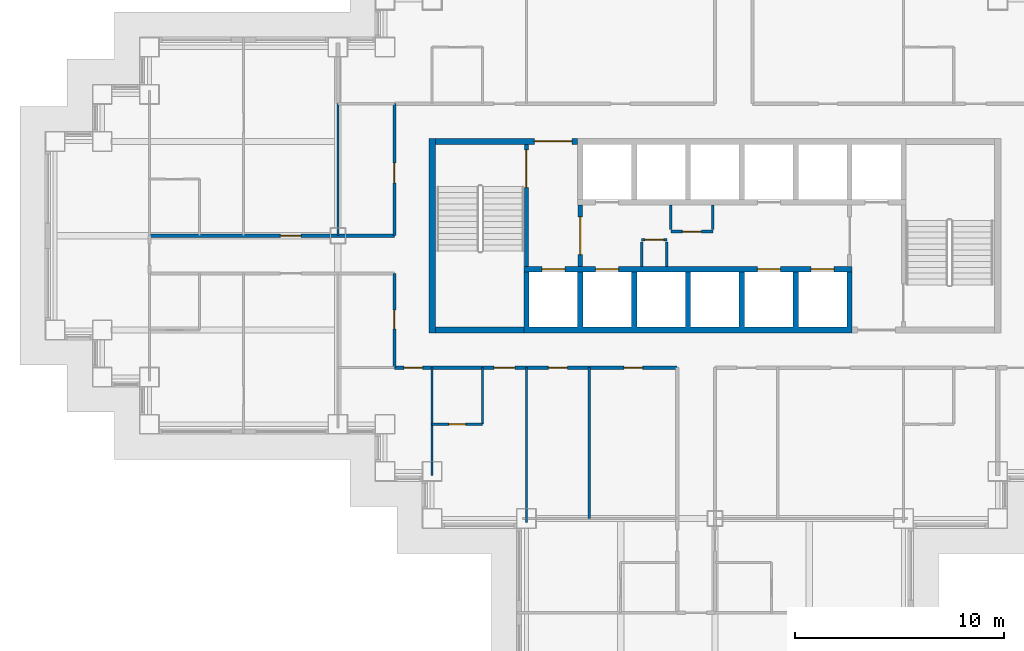
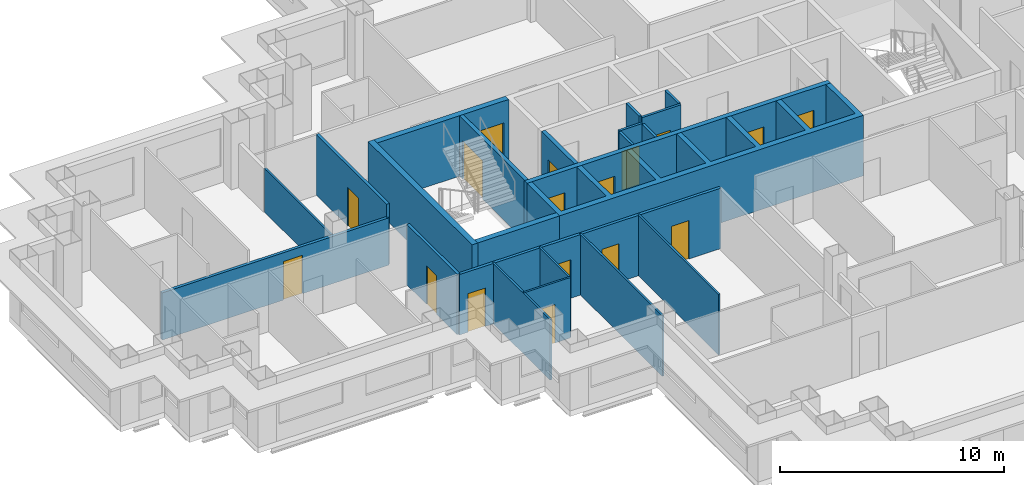
# One storey, part 4 of 14: 23 walls, 17 doors, 17 openings.
"""IFC4 building model written with IfcOpenShell, lengths in metres."""

from ifc_helpers import new_model, si_unit, direction, frame, frame_2d, origin, place, context, subcontext, project, spatial, polyline, rectangle, outline, extrude, material, layer, layer_set, type_object, element, fill, save


model = new_model("IFC4")

# Units and contexts
model_context = context("Model", 3, precision=1e-05, world=origin(), true_north=direction((0.0, 1.0)))
body_context = subcontext(model_context, "Body", "Model", "MODEL_VIEW")
ifc_project = project(units=[si_unit("LENGTHUNIT", "METRE"), si_unit("AREAUNIT", "SQUARE_METRE"), si_unit("VOLUMEUNIT", "CUBIC_METRE"), si_unit("PLANEANGLEUNIT", "RADIAN"), si_unit("MASSUNIT", "GRAM", prefix="KILO")], contexts=[model_context])

# Site, building, storey
site_placement = place(None, origin())
site = spatial("IfcSite", under=ifc_project, at=site_placement, CompositionType="ELEMENT")
building_placement = place(site_placement, origin())
building = spatial("IfcBuilding", under=site, at=building_placement, Name="Caravel Reach Hotel and Residences", CompositionType="ELEMENT")
storey_placement = place(building_placement, frame((0.0, 0.0, 88.800048828125)))
storey = spatial("IfcBuildingStorey", under=building, at=storey_placement, Name="L21", CompositionType="ELEMENT", Elevation=88.800048828125)

# Wall, opening, door
ifc_material_1 = material(Name="Gypsum board on steel stud", Category="steel")
ifc_layer_1 = layer(ifc_material_1, 0.10009765625)
ifc_layer_set_1 = layer_set([ifc_layer_1], Name="Bathroom pod wall 100 mm")
wall_type_1 = type_object("IfcWallType", Name="Bathroom pod wall 100 mm", PredefinedType="PARTITIONING", material=ifc_layer_set_1)
wall_1_placement = place(storey_placement, frame((18.0, 18.0, 0.0), z_axis=(0.0, 0.0, 1.0), x_axis=(1.0, 0.0, 0.0)))
wall_1 = element("IfcWall", 1, at=wall_1_placement, inside=storey, type_object=wall_type_1, Name="L21 wall w073", PredefinedType="PARTITIONING", context=body_context, shape_type="SweptSolid", body=[
    extrude(rectangle(XDim=2.39990234375, YDim=0.10009765625, at=frame_2d((1.199951171875, 0.0))), origin(), (0.0, 0.0, 1.0), 3.300048828125),
])
opening_1_placement = place(wall_1_placement, frame((0.800048828125, 0.0, 0.0)))
opening_1 = element("IfcOpeningElement", 2, at=opening_1_placement, cuts=wall_1, Name="Opening D21-043", PredefinedType="OPENING", context=body_context, shape_type="SweptSolid", body=[
    extrude(rectangle(XDim=0.800048828125, YDim=2.10009765625, at=frame_2d((0.39990234375, 1.050048828125))), frame((0.0, 0.06005859375, 0.0), z_axis=(0.0, -1.0, 0.0), x_axis=(1.0, 0.0, 0.0)), (0.0, 0.0, 1.0), 0.1201171875),
])
ifc_material_2 = material(Name="Timber and steel door leaf", Category="steel")
door_type_1 = type_object("IfcDoorType", Name="Bathroom door 800 x 2100", OperationType="SINGLE_SWING_LEFT", PredefinedType="DOOR", material=ifc_material_2)
door_1_placement = place(opening_1_placement, origin())
door_1 = element("IfcDoor", 3, at=door_1_placement, inside=storey, type_object=door_type_1, Name="door D21-043", OperationType="SINGLE_SWING_RIGHT", OverallHeight=2.10009765625, OverallWidth=0.800048828125, PredefinedType="DOOR", context=body_context, shape_type="SweptSolid", body=[
    extrude(rectangle(XDim=0.800048828125, YDim=2.10009765625, at=frame_2d((0.39990234375, 1.050048828125))), frame((0.0, 0.02490234375, 0.0), z_axis=(0.0, -1.0, 0.0), x_axis=(1.0, 0.0, 0.0)), (0.0, 0.0, 1.0), 0.050048828125),
])
fill(opening_1, door_1)

# Walls
wall_2_placement = place(storey_placement, frame((20.39990234375, 18.0, 0.0), z_axis=(0.0, 0.0, 1.0), x_axis=(0.0, 1.0, 0.0)))
element("IfcWall", 4, at=wall_2_placement, inside=storey, type_object=wall_type_1, Name="L21 wall w085", PredefinedType="PARTITIONING", context=body_context, shape_type="SweptSolid", body=[
    extrude(rectangle(XDim=2.699951171875, YDim=0.10009765625, at=frame_2d((1.35009765625, 0.0))), origin(), (0.0, 0.0, 1.0), 3.300048828125),
])
ifc_material_3 = material(Name="Concrete C60", Category="concrete")
ifc_layer_2 = layer(ifc_material_3, 0.300048828125)
ifc_layer_set_2 = layer_set([ifc_layer_2], Name="Core wall 300 mm EI 120")
wall_type_2 = type_object("IfcWallType", Name="Core wall 300 mm EI 120", PredefinedType="SHEAR", material=ifc_layer_set_2)
wall_3_placement = place(storey_placement, frame((18.14990234375, 22.5, 0.0), z_axis=(0.0, 0.0, 1.0), x_axis=(1.0, 0.0, 0.0)))
element("IfcWall", 5, at=wall_3_placement, inside=storey, type_object=wall_type_2, Name="L21 core wall S1", PredefinedType="SHEAR", context=body_context, shape_type="SweptSolid", body=[
    extrude(rectangle(XDim=4.22509765625, YDim=0.300048828125, at=frame_2d((2.112548828125, 0.0))), origin(), (0.0, 0.0, 1.0), 3.300048828125),
])

# Wall, opening, door
wall_4_placement = place(storey_placement, frame((18.14990234375, 31.5, 0.0), z_axis=(0.0, 0.0, 1.0), x_axis=(1.0, 0.0, 0.0)))
wall_4 = element("IfcWall", 6, at=wall_4_placement, inside=storey, type_object=wall_type_2, Name="L21 core wall N1", PredefinedType="SHEAR", context=body_context, shape_type="SweptSolid", body=[
    extrude(rectangle(XDim=6.796630859375, YDim=0.300048828125, at=frame_2d((3.3984375, 0.0))), origin(), (0.0, 0.0, 1.0), 3.300048828125),
])
opening_2_placement = place(wall_4_placement, frame((4.735595703125, 0.0, 0.0)))
opening_2 = element("IfcOpeningElement", 7, at=opening_2_placement, cuts=wall_4, Name="Opening D21-014", PredefinedType="OPENING", context=body_context, shape_type="SweptSolid", body=[
    extrude(rectangle(XDim=1.800048828125, YDim=2.10009765625, at=frame_2d((0.89990234375, 1.050048828125))), frame((0.0, 0.159912109375, 0.0), z_axis=(0.0, -1.0, 0.0), x_axis=(1.0, 0.0, 0.0)), (0.0, 0.0, 1.0), 0.320068359375),
])
ifc_material_4 = material(Name="Steel fire door leaf", Category="steel")
door_type_2 = type_object("IfcDoorType", Name="Fire lobby door pair 1800 x 2100 EI 90", OperationType="DOUBLE_DOOR_SINGLE_SWING", PredefinedType="DOOR", material=ifc_material_4)
door_2_placement = place(opening_2_placement, origin())
door_2 = element("IfcDoor", 8, at=door_2_placement, inside=storey, type_object=door_type_2, Name="lobby N door pair to corridor", OperationType="DOUBLE_DOOR_SINGLE_SWING", OverallHeight=2.10009765625, OverallWidth=1.800048828125, PredefinedType="DOOR", context=body_context, shape_type="SweptSolid", body=[
    extrude(rectangle(XDim=1.800048828125, YDim=2.10009765625, at=frame_2d((0.89990234375, 1.050048828125))), frame((0.0, 0.02490234375, 0.0), z_axis=(0.0, -1.0, 0.0), x_axis=(1.0, 0.0, 0.0)), (0.0, 0.0, 1.0), 0.050048828125),
])
fill(opening_2, door_2)

# Wall
wall_5_placement = place(storey_placement, frame((18.0, 22.35009765625, 0.0), z_axis=(0.0, 0.0, 1.0), x_axis=(0.0, 1.0, 0.0)))
element("IfcWall", 9, at=wall_5_placement, inside=storey, type_object=wall_type_2, Name="L21 core wall W", PredefinedType="SHEAR", context=body_context, shape_type="SweptSolid", body=[
    extrude(rectangle(XDim=9.2998046875, YDim=0.300048828125, at=frame_2d((4.64990234375, 0.0))), origin(), (0.0, 0.0, 1.0), 3.300048828125),
])

# Wall, openings, doors
ifc_material_5 = material(Name="Gypsum board on steel stud, fire-rated", Category="steel")
ifc_layer_3 = layer(ifc_material_5, 0.14990234375)
ifc_layer_set_3 = layer_set([ifc_layer_3], Name="Corridor wall 150 mm EI 60")
wall_type_3 = type_object("IfcWallType", Name="Corridor wall 150 mm EI 60", PredefinedType="PARTITIONING", material=ifc_layer_set_3)
wall_6_placement = place(storey_placement, frame((16.199951171875, 20.699951171875, 0.0), z_axis=(0.0, 0.0, 1.0), x_axis=(1.0, 0.0, 0.0)))
wall_6 = element("IfcWall", 10, at=wall_6_placement, inside=storey, type_object=wall_type_3, Name="L21 wall w007", PredefinedType="PARTITIONING", context=body_context, shape_type="SweptSolid", body=[
    extrude(rectangle(XDim=13.5, YDim=0.14990234375, at=frame_2d((6.75, 0.0))), origin(), (0.0, 0.0, 1.0), 3.300048828125),
])
opening_3_placement = place(wall_6_placement, frame((4.75, 0.0, 0.0)))
opening_3 = element("IfcOpeningElement", 11, at=opening_3_placement, cuts=wall_6, Name="Opening D21-042", PredefinedType="OPENING", context=body_context, shape_type="SweptSolid", body=[
    extrude(rectangle(XDim=1.0, YDim=2.10009765625, at=frame_2d((0.5, 1.050048828125))), frame((0.0, 0.0849609375, 0.0), z_axis=(0.0, -1.0, 0.0), x_axis=(1.0, 0.0, 0.0)), (0.0, 0.0, 1.0), 0.169921875),
])
opening_4_placement = place(wall_6_placement, frame((0.449951171875, 0.0, 0.0)))
opening_4 = element("IfcOpeningElement", 12, at=opening_4_placement, cuts=wall_6, Name="Opening D21-044", PredefinedType="OPENING", context=body_context, shape_type="SweptSolid", body=[
    extrude(rectangle(XDim=0.89990234375, YDim=2.10009765625, at=frame_2d((0.449951171875, 1.050048828125))), frame((0.0, 0.0849609375, 0.0), z_axis=(0.0, -1.0, 0.0), x_axis=(1.0, 0.0, 0.0)), (0.0, 0.0, 1.0), 0.169921875),
])
opening_5_placement = place(wall_6_placement, frame((7.35009765625, 0.0, 0.0)))
opening_5 = element("IfcOpeningElement", 13, at=opening_5_placement, cuts=wall_6, Name="Opening D21-050", PredefinedType="OPENING", context=body_context, shape_type="SweptSolid", body=[
    extrude(rectangle(XDim=0.89990234375, YDim=2.10009765625, at=frame_2d((0.449951171875, 1.050048828125))), frame((0.0, 0.0849609375, 0.0), z_axis=(0.0, -1.0, 0.0), x_axis=(1.0, 0.0, 0.0)), (0.0, 0.0, 1.0), 0.169921875),
])
opening_6_placement = place(wall_6_placement, frame((10.949951171875, 0.0, 0.0)))
opening_6 = element("IfcOpeningElement", 14, at=opening_6_placement, cuts=wall_6, Name="Opening D21-051", PredefinedType="OPENING", context=body_context, shape_type="SweptSolid", body=[
    extrude(rectangle(XDim=0.89990234375, YDim=2.10009765625, at=frame_2d((0.449951171875, 1.050048828125))), frame((0.0, 0.0849609375, 0.0), z_axis=(0.0, -1.0, 0.0), x_axis=(1.0, 0.0, 0.0)), (0.0, 0.0, 1.0), 0.169921875),
])
ifc_material_6 = material(Name="Timber and steel door leaf", Category="steel")
door_type_3 = type_object("IfcDoorType", Name="Door 900 x 2100 timber", OperationType="SINGLE_SWING_LEFT", PredefinedType="DOOR", material=ifc_material_6)
door_3_placement = place(opening_4_placement, origin())
door_3 = element("IfcDoor", 15, at=door_3_placement, inside=storey, type_object=door_type_3, Name="door D21-044", OperationType="SINGLE_SWING_LEFT", OverallHeight=2.10009765625, OverallWidth=0.89990234375, PredefinedType="DOOR", context=body_context, shape_type="SweptSolid", body=[
    extrude(rectangle(XDim=0.89990234375, YDim=2.10009765625, at=frame_2d((0.449951171875, 1.050048828125))), frame((0.0, 0.02490234375, 0.0), z_axis=(0.0, -1.0, 0.0), x_axis=(1.0, 0.0, 0.0)), (0.0, 0.0, 1.0), 0.050048828125),
])
fill(opening_4, door_3)
door_4_placement = place(opening_5_placement, origin())
door_4 = element("IfcDoor", 16, at=door_4_placement, inside=storey, type_object=door_type_3, Name="door D21-050", OperationType="SINGLE_SWING_LEFT", OverallHeight=2.10009765625, OverallWidth=0.89990234375, PredefinedType="DOOR", context=body_context, shape_type="SweptSolid", body=[
    extrude(rectangle(XDim=0.89990234375, YDim=2.10009765625, at=frame_2d((0.449951171875, 1.050048828125))), frame((0.0, 0.02490234375, 0.0), z_axis=(0.0, -1.0, 0.0), x_axis=(1.0, 0.0, 0.0)), (0.0, 0.0, 1.0), 0.050048828125),
])
fill(opening_5, door_4)
door_5_placement = place(opening_6_placement, origin())
door_5 = element("IfcDoor", 17, at=door_5_placement, inside=storey, type_object=door_type_3, Name="door D21-051", OperationType="SINGLE_SWING_LEFT", OverallHeight=2.10009765625, OverallWidth=0.89990234375, PredefinedType="DOOR", context=body_context, shape_type="SweptSolid", body=[
    extrude(rectangle(XDim=0.89990234375, YDim=2.10009765625, at=frame_2d((0.449951171875, 1.050048828125))), frame((0.0, 0.02490234375, 0.0), z_axis=(0.0, -1.0, 0.0), x_axis=(1.0, 0.0, 0.0)), (0.0, 0.0, 1.0), 0.050048828125),
])
fill(opening_6, door_5)
ifc_material_7 = material(Name="Steel fire door leaf", Category="steel")
door_type_4 = type_object("IfcDoorType", Name="Guest room door 1000 x 2100 EI 30", OperationType="SINGLE_SWING_LEFT", PredefinedType="DOOR", material=ifc_material_7)
door_6_placement = place(opening_3_placement, origin())
door_6 = element("IfcDoor", 18, at=door_6_placement, inside=storey, type_object=door_type_4, Name="door D21-042", OperationType="SINGLE_SWING_RIGHT", OverallHeight=2.10009765625, OverallWidth=1.0, PredefinedType="DOOR", context=body_context, shape_type="SweptSolid", body=[
    extrude(rectangle(XDim=1.0, YDim=2.10009765625, at=frame_2d((0.5, 1.050048828125))), frame((0.0, 0.02490234375, 0.0), z_axis=(0.0, -1.0, 0.0), x_axis=(1.0, 0.0, 0.0)), (0.0, 0.0, 1.0), 0.050048828125),
])
fill(opening_3, door_6)

# Wall, opening, door
wall_7_placement = place(storey_placement, frame((4.5, 27.0, 0.0), z_axis=(0.0, 0.0, 1.0), x_axis=(1.0, 0.0, 0.0)))
wall_7 = element("IfcWall", 19, at=wall_7_placement, inside=storey, type_object=wall_type_3, Name="L21 wall w014", PredefinedType="PARTITIONING", context=body_context, shape_type="SweptSolid", body=[
    extrude(rectangle(XDim=11.699951171875, YDim=0.14990234375, at=frame_2d((5.85009765625, 0.0))), origin(), (0.0, 0.0, 1.0), 2.579833984375),
])
opening_7_placement = place(wall_7_placement, frame((6.25, 0.0, 0.0)))
opening_7 = element("IfcOpeningElement", 20, at=opening_7_placement, cuts=wall_7, Name="Opening D21-019", PredefinedType="OPENING", context=body_context, shape_type="SweptSolid", body=[
    extrude(rectangle(XDim=1.0, YDim=2.10009765625, at=frame_2d((0.5, 1.050048828125))), frame((0.0, 0.0849609375, 0.0), z_axis=(0.0, -1.0, 0.0), x_axis=(1.0, 0.0, 0.0)), (0.0, 0.0, 1.0), 0.169921875),
])
door_7_placement = place(opening_7_placement, origin())
door_7 = element("IfcDoor", 21, at=door_7_placement, inside=storey, type_object=door_type_4, Name="door D21-019", OperationType="SINGLE_SWING_LEFT", OverallHeight=2.10009765625, OverallWidth=1.0, PredefinedType="DOOR", context=body_context, shape_type="SweptSolid", body=[
    extrude(rectangle(XDim=1.0, YDim=2.10009765625, at=frame_2d((0.5, 1.050048828125))), frame((0.0, 0.02490234375, 0.0), z_axis=(0.0, -1.0, 0.0), x_axis=(1.0, 0.0, 0.0)), (0.0, 0.0, 1.0), 0.050048828125),
])
fill(opening_7, door_7)

wall_8_placement = place(storey_placement, frame((16.199951171875, 27.0, 0.0), z_axis=(0.0, 0.0, 1.0), x_axis=(0.0, 1.0, 0.0)))
wall_8 = element("IfcWall", 22, at=wall_8_placement, inside=storey, type_object=wall_type_3, Name="L21 wall w024", PredefinedType="PARTITIONING", context=body_context, shape_type="SweptSolid", body=[
    extrude(rectangle(XDim=6.300048828125, YDim=0.14990234375, at=frame_2d((3.14990234375, 0.0))), origin(), (0.0, 0.0, 1.0), 3.300048828125),
])
opening_8_placement = place(wall_8_placement, frame((2.52490234375, 0.0, 0.0)))
opening_8 = element("IfcOpeningElement", 23, at=opening_8_placement, cuts=wall_8, Name="Opening D21-055", PredefinedType="OPENING", context=body_context, shape_type="SweptSolid", body=[
    extrude(rectangle(XDim=0.949951171875, YDim=2.10009765625, at=frame_2d((0.47509765625, 1.050048828125))), frame((0.0, 0.0849609375, 0.0), z_axis=(0.0, -1.0, 0.0), x_axis=(1.0, 0.0, 0.0)), (0.0, 0.0, 1.0), 0.169921875),
])
ifc_material_8 = material(Name="Timber and steel door leaf", Category="steel")
door_type_5 = type_object("IfcDoorType", Name="Accessible WC door 950 x 2100", OperationType="SINGLE_SWING_LEFT", PredefinedType="DOOR", material=ifc_material_8)
door_8_placement = place(opening_8_placement, origin())
door_8 = element("IfcDoor", 24, at=door_8_placement, inside=storey, type_object=door_type_5, Name="door D21-055", OperationType="SINGLE_SWING_LEFT", OverallHeight=2.10009765625, OverallWidth=0.949951171875, PredefinedType="DOOR", context=body_context, shape_type="SweptSolid", body=[
    extrude(rectangle(XDim=0.949951171875, YDim=2.10009765625, at=frame_2d((0.47509765625, 1.050048828125))), frame((0.0, 0.02490234375, 0.0), z_axis=(0.0, -1.0, 0.0), x_axis=(1.0, 0.0, 0.0)), (0.0, 0.0, 1.0), 0.050048828125),
])
fill(opening_8, door_8)

wall_9_placement = place(storey_placement, frame((16.199951171875, 20.699951171875, 0.0), z_axis=(0.0, 0.0, 1.0), x_axis=(0.0, 1.0, 0.0)))
wall_9 = element("IfcWall", 25, at=wall_9_placement, inside=storey, type_object=wall_type_3, Name="L21 wall w025", PredefinedType="PARTITIONING", context=body_context, shape_type="SweptSolid", body=[
    extrude(rectangle(XDim=4.5, YDim=0.14990234375, at=frame_2d((2.25, 0.0))), origin(), (0.0, 0.0, 1.0), 3.300048828125),
])
opening_9_placement = place(wall_9_placement, frame((1.85009765625, 0.0, 0.0)))
opening_9 = element("IfcOpeningElement", 26, at=opening_9_placement, cuts=wall_9, Name="Opening D21-054", PredefinedType="OPENING", context=body_context, shape_type="SweptSolid", body=[
    extrude(rectangle(XDim=0.89990234375, YDim=2.10009765625, at=frame_2d((0.449951171875, 1.050048828125))), frame((0.0, 0.0849609375, 0.0), z_axis=(0.0, -1.0, 0.0), x_axis=(1.0, 0.0, 0.0)), (0.0, 0.0, 1.0), 0.169921875),
])
door_9_placement = place(opening_9_placement, origin())
door_9 = element("IfcDoor", 27, at=door_9_placement, inside=storey, type_object=door_type_3, Name="door D21-054", OperationType="SINGLE_SWING_LEFT", OverallHeight=2.10009765625, OverallWidth=0.89990234375, PredefinedType="DOOR", context=body_context, shape_type="SweptSolid", body=[
    extrude(rectangle(XDim=0.89990234375, YDim=2.10009765625, at=frame_2d((0.449951171875, 1.050048828125))), frame((0.0, 0.02490234375, 0.0), z_axis=(0.0, -1.0, 0.0), x_axis=(1.0, 0.0, 0.0)), (0.0, 0.0, 1.0), 0.050048828125),
])
fill(opening_9, door_9)

ifc_material_9 = material(Name="Autoclaved aerated block wall")
ifc_layer_4 = layer(ifc_material_9, 0.199951171875)
ifc_layer_set_4 = layer_set([ifc_layer_4], Name="Fire lobby wall 200 mm EI 120")
wall_type_4 = type_object("IfcWallType", Name="Fire lobby wall 200 mm EI 120", PredefinedType="PARTITIONING", material=ifc_layer_set_4)
wall_10_placement = place(storey_placement, frame((25.071533203125, 25.52490234375, 0.0), z_axis=(0.0, 0.0, 1.0), x_axis=(0.0, 1.0, 0.0)))
wall_10 = element("IfcWall", 28, at=wall_10_placement, inside=storey, type_object=wall_type_4, Name="L21 lobby W wall", PredefinedType="PARTITIONING", context=body_context, shape_type="SweptSolid", body=[
    extrude(rectangle(XDim=2.9501953125, YDim=0.199951171875, at=frame_2d((1.47509765625, 0.0))), origin(), (0.0, 0.0, 1.0), 3.300048828125),
])
opening_10_placement = place(wall_10_placement, frame((0.574951171875, 0.0, 0.0)))
opening_10 = element("IfcOpeningElement", 29, at=opening_10_placement, cuts=wall_10, Name="Opening D21-012", PredefinedType="OPENING", context=body_context, shape_type="SweptSolid", body=[
    extrude(rectangle(XDim=1.800048828125, YDim=2.10009765625, at=frame_2d((0.89990234375, 1.050048828125))), frame((0.0, 0.10986328125, 0.0), z_axis=(0.0, -1.0, 0.0), x_axis=(1.0, 0.0, 0.0)), (0.0, 0.0, 1.0), 0.219970703125),
])
door_10_placement = place(opening_10_placement, origin())
door_10 = element("IfcDoor", 30, at=door_10_placement, inside=storey, type_object=door_type_2, Name="lobby W door pair", OperationType="DOUBLE_DOOR_SINGLE_SWING", OverallHeight=2.10009765625, OverallWidth=1.800048828125, PredefinedType="DOOR", context=body_context, shape_type="SweptSolid", body=[
    extrude(rectangle(XDim=1.800048828125, YDim=2.10009765625, at=frame_2d((0.89990234375, 1.050048828125))), frame((0.0, 0.02490234375, 0.0), z_axis=(0.0, -1.0, 0.0), x_axis=(1.0, 0.0, 0.0)), (0.0, 0.0, 1.0), 0.050048828125),
])
fill(opening_10, door_10)

# Walls
ifc_material_10 = material(Name="Gypsum board on steel stud", Category="steel")
ifc_layer_5 = layer(ifc_material_10, 0.10009765625)
ifc_layer_set_5 = layer_set([ifc_layer_5], Name="Partition 100 mm")
wall_type_5 = type_object("IfcWallType", Name="Partition 100 mm", PredefinedType="PARTITIONING", material=ifc_layer_set_5)
wall_11_placement = place(storey_placement, frame((13.5, 27.0, 0.0), z_axis=(0.0, 0.0, 1.0), x_axis=(0.0, 1.0, 0.0)))
element("IfcWall", 31, at=wall_11_placement, inside=storey, type_object=wall_type_5, Name="L21 wall w051", PredefinedType="PARTITIONING", context=body_context, shape_type="SweptSolid", body=[
    extrude(rectangle(XDim=6.300048828125, YDim=0.10009765625, at=frame_2d((3.14990234375, 0.0))), origin(), (0.0, 0.0, 1.0), 2.3798828125),
])
wall_12_placement = place(storey_placement, frame((18.0, 15.56005859375, 0.0), z_axis=(0.0, 0.0, 1.0), x_axis=(0.0, 1.0, 0.0)))
element("IfcWall", 32, at=wall_12_placement, inside=storey, type_object=wall_type_5, Name="L21 wall w054", PredefinedType="PARTITIONING", context=body_context, shape_type="SweptSolid", body=[
    extrude(rectangle(XDim=5.139892578125, YDim=0.10009765625, at=frame_2d((2.56982421875, 0.0))), origin(), (0.0, 0.0, 1.0), 3.300048828125),
])
wall_13_placement = place(storey_placement, frame((22.5, 13.31005859375, 0.0), z_axis=(0.0, 0.0, 1.0), x_axis=(0.0, 1.0, 0.0)))
element("IfcWall", 33, at=wall_13_placement, inside=storey, type_object=wall_type_5, Name="L21 wall w056", PredefinedType="PARTITIONING", context=body_context, shape_type="SweptSolid", body=[
    extrude(rectangle(XDim=7.389892578125, YDim=0.10009765625, at=frame_2d((3.69482421875, 0.0))), origin(), (0.0, 0.0, 1.0), 3.300048828125),
])
wall_14_placement = place(storey_placement, frame((25.5, 13.5, 0.0), z_axis=(0.0, 0.0, 1.0), x_axis=(0.0, 1.0, 0.0)))
element("IfcWall", 34, at=wall_14_placement, inside=storey, type_object=wall_type_5, Name="L21 wall w057", PredefinedType="PARTITIONING", context=body_context, shape_type="SweptSolid", body=[
    extrude(rectangle(XDim=7.199951171875, YDim=0.10009765625, at=frame_2d((3.60009765625, 0.0))), origin(), (0.0, 0.0, 1.0), 3.300048828125),
])

# Wall, opening, door
ifc_material_11 = material(Name="Autoclaved aerated block wall")
ifc_layer_6 = layer(ifc_material_11, 0.125)
ifc_layer_set_6 = layer_set([ifc_layer_6], Name="Riser wall 125 mm EI 60")
wall_type_6 = type_object("IfcWallType", Name="Riser wall 125 mm EI 60", PredefinedType="PARTITIONING", material=ifc_layer_set_6)
wall_15_placement = place(storey_placement, frame((28.0, 26.800048828125, 0.0), z_axis=(0.0, 0.0, 1.0), x_axis=(1.0, 0.0, 0.0)))
wall_15 = element("IfcWall", 35, at=wall_15_placement, inside=storey, type_object=wall_type_6, Name="L21 service room wall S1", PredefinedType="PARTITIONING", context=body_context, shape_type="SweptSolid", body=[
    extrude(rectangle(XDim=1.199951171875, YDim=0.125, at=frame_2d((0.60009765625, 0.0))), origin(), (0.0, 0.0, 1.0), 3.300048828125),
])
opening_11_placement = place(wall_15_placement, frame((0.14990234375, 0.0, 0.0)))
opening_11 = element("IfcOpeningElement", 36, at=opening_11_placement, cuts=wall_15, Name="Opening D21-008", PredefinedType="OPENING", context=body_context, shape_type="SweptSolid", body=[
    extrude(rectangle(XDim=0.89990234375, YDim=2.10009765625, at=frame_2d((0.449951171875, 1.050048828125))), frame((0.0, 0.072509765625, 0.0), z_axis=(0.0, -1.0, 0.0), x_axis=(1.0, 0.0, 0.0)), (0.0, 0.0, 1.0), 0.14501953125),
])
ifc_material_12 = material(Name="Steel fire door leaf", Category="steel")
door_type_6 = type_object("IfcDoorType", Name="Riser door 900 x 2100 EI 60", OperationType="SINGLE_SWING_LEFT", PredefinedType="DOOR", material=ifc_material_12)
door_11_placement = place(opening_11_placement, origin())
door_11 = element("IfcDoor", 37, at=door_11_placement, inside=storey, type_object=door_type_6, Name="Telecom room door", OperationType="SINGLE_SWING_LEFT", OverallHeight=2.10009765625, OverallWidth=0.89990234375, PredefinedType="DOOR", context=body_context, shape_type="SweptSolid", body=[
    extrude(rectangle(XDim=0.89990234375, YDim=2.10009765625, at=frame_2d((0.449951171875, 1.050048828125))), frame((0.0, 0.02490234375, 0.0), z_axis=(0.0, -1.0, 0.0), x_axis=(1.0, 0.0, 0.0)), (0.0, 0.0, 1.0), 0.050048828125),
])
fill(opening_11, door_11)

# Walls
for number, where, z_axis, x_axis, name in (
    (38, (28.0, 25.52490234375, 0.0), (0.0, 0.0, 1.0), (0.0, 1.0, 0.0), "L21 service room partition S1"),
    (39, (29.199951171875, 25.52490234375, 0.0), (0.0, 0.0, 1.0), (0.0, 1.0, 0.0), "L21 service room partition S1"),
):
    element("IfcWall", number, at=place(storey_placement, frame(where, z_axis=z_axis, x_axis=x_axis)), inside=storey, type_object=wall_type_6, Name=name, PredefinedType="PARTITIONING", context=body_context, shape_type="SweptSolid", body=[
        extrude(rectangle(XDim=1.175048828125, YDim=0.125, at=frame_2d((0.58740234375, 0.0))), origin(), (0.0, 0.0, 1.0), 3.300048828125),
    ])

# Wall, opening, door
wall_16_placement = place(storey_placement, frame((29.39990234375, 27.199951171875, 0.0), z_axis=(0.0, 0.0, 1.0), x_axis=(1.0, 0.0, 0.0)))
wall_16 = element("IfcWall", 40, at=wall_16_placement, inside=storey, type_object=wall_type_6, Name="L21 service room wall N1", PredefinedType="PARTITIONING", context=body_context, shape_type="SweptSolid", body=[
    extrude(rectangle(XDim=2.0, YDim=0.125, at=frame_2d((1.0, 0.0))), origin(), (0.0, 0.0, 1.0), 3.300048828125),
])
opening_12_placement = place(wall_16_placement, frame((0.550048828125, 0.0, 0.0)))
opening_12 = element("IfcOpeningElement", 41, at=opening_12_placement, cuts=wall_16, Name="Opening D21-009", PredefinedType="OPENING", context=body_context, shape_type="SweptSolid", body=[
    extrude(rectangle(XDim=0.89990234375, YDim=2.10009765625, at=frame_2d((0.449951171875, 1.050048828125))), frame((0.0, 0.072509765625, 0.0), z_axis=(0.0, -1.0, 0.0), x_axis=(1.0, 0.0, 0.0)), (0.0, 0.0, 1.0), 0.14501953125),
])
door_12_placement = place(opening_12_placement, origin())
door_12 = element("IfcDoor", 42, at=door_12_placement, inside=storey, type_object=door_type_6, Name="Luggage store door", OperationType="SINGLE_SWING_LEFT", OverallHeight=2.10009765625, OverallWidth=0.89990234375, PredefinedType="DOOR", context=body_context, shape_type="SweptSolid", body=[
    extrude(rectangle(XDim=0.89990234375, YDim=2.10009765625, at=frame_2d((0.449951171875, 1.050048828125))), frame((0.0, 0.02490234375, 0.0), z_axis=(0.0, -1.0, 0.0), x_axis=(1.0, 0.0, 0.0)), (0.0, 0.0, 1.0), 0.050048828125),
])
fill(opening_12, door_12)

# Walls
for number, where, z_axis, x_axis, name in (
    (43, (29.39990234375, 28.47509765625, 0.0), (0.0, 0.0, 1.0), (0.0, -1.0, 0.0), "L21 service room partition N1"),
    (44, (31.39990234375, 28.47509765625, 0.0), (0.0, 0.0, 1.0), (0.0, -1.0, 0.0), "L21 service room partition N1"),
):
    element("IfcWall", number, at=place(storey_placement, frame(where, z_axis=z_axis, x_axis=x_axis)), inside=storey, type_object=wall_type_6, Name=name, PredefinedType="PARTITIONING", context=body_context, shape_type="SweptSolid", body=[
        extrude(rectangle(XDim=1.175048828125, YDim=0.125, at=frame_2d((0.58740234375, 0.0))), origin(), (0.0, 0.0, 1.0), 3.300048828125),
    ])
ifc_material_13 = material(Name="Concrete C60", Category="concrete")
ifc_layer_7 = layer(ifc_material_13, 0.25)
ifc_layer_set_7 = layer_set([ifc_layer_7], Name="Shaft wall 250 mm EI 120")
wall_type_7 = type_object("IfcWallType", Name="Shaft wall 250 mm EI 120", PredefinedType="SHEAR", material=ifc_layer_set_7)
wall_17_placement = place(storey_placement, origin())
element("IfcWall", 45, at=wall_17_placement, inside=storey, type_object=wall_type_7, Name="L21 lift shaft wall S1", PredefinedType="SHEAR", context=body_context, shape_type="SweptSolid", body=[
    extrude(outline(polyline([(22.375, 22.35009765625), (38.053466796875, 22.35009765625), (38.053466796875, 25.27490234375), (37.803466796875, 25.27490234375), (37.803466796875, 22.64990234375), (35.482177734375, 22.64990234375), (35.482177734375, 25.27490234375), (35.232177734375, 25.27490234375), (35.232177734375, 22.64990234375), (32.91064453125, 22.64990234375), (32.91064453125, 25.27490234375), (32.66064453125, 25.27490234375), (32.66064453125, 22.64990234375), (30.33935546875, 22.64990234375), (30.33935546875, 25.27490234375), (30.08935546875, 25.27490234375), (30.08935546875, 22.64990234375), (27.767822265625, 22.64990234375), (27.767822265625, 25.27490234375), (27.517822265625, 25.27490234375), (27.517822265625, 22.64990234375), (25.196533203125, 22.64990234375), (25.196533203125, 25.27490234375), (24.946533203125, 25.27490234375), (24.946533203125, 22.64990234375), (22.625, 22.64990234375), (22.625, 25.27490234375), (22.375, 25.27490234375), (22.375, 22.35009765625)])), origin(), (0.0, 0.0, 1.0), 3.300048828125),
])

# Wall, openings, doors
wall_18_placement = place(storey_placement, frame((22.375, 25.39990234375, 0.0), z_axis=(0.0, 0.0, 1.0), x_axis=(1.0, 0.0, 0.0)))
wall_18 = element("IfcWall", 46, at=wall_18_placement, inside=storey, type_object=wall_type_7, Name="L21 lobby wall S1", PredefinedType="SHEAR", context=body_context, shape_type="SweptSolid", body=[
    extrude(rectangle(XDim=15.678466796875, YDim=0.25, at=frame_2d((7.83935546875, 0.0))), origin(), (0.0, 0.0, 1.0), 3.300048828125),
])
opening_13_placement = place(wall_18_placement, frame((3.43212890625, 0.0, 0.0)))
opening_13 = element("IfcOpeningElement", 47, at=opening_13_placement, cuts=wall_18, Name="Opening D21-001", PredefinedType="OPENING", context=body_context, shape_type="SweptSolid", body=[
    extrude(rectangle(XDim=1.10009765625, YDim=2.10009765625, at=frame_2d((0.550048828125, 1.050048828125))), frame((0.0, 0.135009765625, 0.0), z_axis=(0.0, -1.0, 0.0), x_axis=(1.0, 0.0, 0.0)), (0.0, 0.0, 1.0), 0.27001953125),
])
opening_14_placement = place(wall_18_placement, frame((11.146484375, 0.0, 0.0)))
opening_14 = element("IfcOpeningElement", 48, at=opening_14_placement, cuts=wall_18, Name="Opening D21-002", PredefinedType="OPENING", context=body_context, shape_type="SweptSolid", body=[
    extrude(rectangle(XDim=1.10009765625, YDim=2.10009765625, at=frame_2d((0.550048828125, 1.050048828125))), frame((0.0, 0.135009765625, 0.0), z_axis=(0.0, -1.0, 0.0), x_axis=(1.0, 0.0, 0.0)), (0.0, 0.0, 1.0), 0.27001953125),
])
opening_15_placement = place(wall_18_placement, frame((13.718017578125, 0.0, 0.0)))
opening_15 = element("IfcOpeningElement", 49, at=opening_15_placement, cuts=wall_18, Name="Opening D21-003", PredefinedType="OPENING", context=body_context, shape_type="SweptSolid", body=[
    extrude(rectangle(XDim=1.10009765625, YDim=2.10009765625, at=frame_2d((0.550048828125, 1.050048828125))), frame((0.0, 0.135009765625, 0.0), z_axis=(0.0, -1.0, 0.0), x_axis=(1.0, 0.0, 0.0)), (0.0, 0.0, 1.0), 0.27001953125),
])
opening_16_placement = place(wall_18_placement, frame((0.860595703125, 0.0, 0.0)))
opening_16 = element("IfcOpeningElement", 50, at=opening_16_placement, cuts=wall_18, Name="Opening D21-006", PredefinedType="OPENING", context=body_context, shape_type="SweptSolid", body=[
    extrude(rectangle(XDim=1.10009765625, YDim=2.10009765625, at=frame_2d((0.550048828125, 1.050048828125))), frame((0.0, 0.135009765625, 0.0), z_axis=(0.0, -1.0, 0.0), x_axis=(1.0, 0.0, 0.0)), (0.0, 0.0, 1.0), 0.27001953125),
])
ifc_material_14 = material(Name="Stainless steel landing door", Category="steel")
door_type_7 = type_object("IfcDoorType", Name="Landing door LD 1100 x 2100 sliding", OperationType="DOUBLE_DOOR_SLIDING", PredefinedType="DOOR", material=ifc_material_14)
door_13_placement = place(opening_13_placement, origin())
door_13 = element("IfcDoor", 51, at=door_13_placement, inside=storey, type_object=door_type_7, Name="LP1 landing door", OperationType="DOUBLE_DOOR_SLIDING", OverallHeight=2.10009765625, OverallWidth=1.10009765625, PredefinedType="DOOR", context=body_context, shape_type="SweptSolid", body=[
    extrude(rectangle(XDim=1.10009765625, YDim=2.10009765625, at=frame_2d((0.550048828125, 1.050048828125))), frame((0.0, 0.02490234375, 0.0), z_axis=(0.0, -1.0, 0.0), x_axis=(1.0, 0.0, 0.0)), (0.0, 0.0, 1.0), 0.050048828125),
])
fill(opening_13, door_13)
door_14_placement = place(opening_14_placement, origin())
door_14 = element("IfcDoor", 52, at=door_14_placement, inside=storey, type_object=door_type_7, Name="LP2 landing door", OperationType="DOUBLE_DOOR_SLIDING", OverallHeight=2.10009765625, OverallWidth=1.10009765625, PredefinedType="DOOR", context=body_context, shape_type="SweptSolid", body=[
    extrude(rectangle(XDim=1.10009765625, YDim=2.10009765625, at=frame_2d((0.550048828125, 1.050048828125))), frame((0.0, 0.02490234375, 0.0), z_axis=(0.0, -1.0, 0.0), x_axis=(1.0, 0.0, 0.0)), (0.0, 0.0, 1.0), 0.050048828125),
])
fill(opening_14, door_14)
door_15_placement = place(opening_15_placement, origin())
door_15 = element("IfcDoor", 53, at=door_15_placement, inside=storey, type_object=door_type_7, Name="LP3 landing door", OperationType="DOUBLE_DOOR_SLIDING", OverallHeight=2.10009765625, OverallWidth=1.10009765625, PredefinedType="DOOR", context=body_context, shape_type="SweptSolid", body=[
    extrude(rectangle(XDim=1.10009765625, YDim=2.10009765625, at=frame_2d((0.550048828125, 1.050048828125))), frame((0.0, 0.02490234375, 0.0), z_axis=(0.0, -1.0, 0.0), x_axis=(1.0, 0.0, 0.0)), (0.0, 0.0, 1.0), 0.050048828125),
])
fill(opening_15, door_15)
door_16_placement = place(opening_16_placement, origin())
door_16 = element("IfcDoor", 54, at=door_16_placement, inside=storey, type_object=door_type_7, Name="FL1 landing door", OperationType="DOUBLE_DOOR_SLIDING", OverallHeight=2.10009765625, OverallWidth=1.10009765625, PredefinedType="DOOR", context=body_context, shape_type="SweptSolid", body=[
    extrude(rectangle(XDim=1.10009765625, YDim=2.10009765625, at=frame_2d((0.550048828125, 1.050048828125))), frame((0.0, 0.02490234375, 0.0), z_axis=(0.0, -1.0, 0.0), x_axis=(1.0, 0.0, 0.0)), (0.0, 0.0, 1.0), 0.050048828125),
])
fill(opening_16, door_16)

# Wall, opening, door
ifc_material_15 = material(Name="Concrete C60", Category="concrete")
ifc_layer_8 = layer(ifc_material_15, 0.199951171875)
ifc_layer_set_8 = layer_set([ifc_layer_8], Name="Stair enclosure wall 200 mm EI 120")
wall_type_8 = type_object("IfcWallType", Name="Stair enclosure wall 200 mm EI 120", PredefinedType="SHEAR", material=ifc_layer_set_8)
wall_19_placement = place(storey_placement, frame((22.5, 31.35009765625, 0.0), z_axis=(0.0, 0.0, 1.0), x_axis=(0.0, -1.0, 0.0)))
wall_19 = element("IfcWall", 55, at=wall_19_placement, inside=storey, type_object=wall_type_8, Name="L21 stair A wall", PredefinedType="SHEAR", context=body_context, shape_type="SweptSolid", body=[
    extrude(rectangle(XDim=5.8251953125, YDim=0.199951171875, at=frame_2d((2.91259765625, 0.0))), origin(), (0.0, 0.0, 1.0), 3.300048828125),
])
opening_17_placement = place(wall_19_placement, frame((0.25, 0.0, 0.0)))
opening_17 = element("IfcOpeningElement", 56, at=opening_17_placement, cuts=wall_19, Name="Opening D21-010", PredefinedType="OPENING", context=body_context, shape_type="SweptSolid", body=[
    extrude(rectangle(XDim=1.800048828125, YDim=2.10009765625, at=frame_2d((0.89990234375, 1.050048828125))), frame((0.0, 0.10986328125, 0.0), z_axis=(0.0, -1.0, 0.0), x_axis=(1.0, 0.0, 0.0)), (0.0, 0.0, 1.0), 0.219970703125),
])
ifc_material_16 = material(Name="Steel fire door leaf", Category="steel")
door_type_8 = type_object("IfcDoorType", Name="Stair door pair 1800 x 2100 EI 90", OperationType="DOUBLE_DOOR_SINGLE_SWING", PredefinedType="DOOR", material=ifc_material_16)
door_17_placement = place(opening_17_placement, origin())
door_17 = element("IfcDoor", 57, at=door_17_placement, inside=storey, type_object=door_type_8, Name="stair A door pair", OperationType="DOUBLE_DOOR_SINGLE_SWING", OverallHeight=2.10009765625, OverallWidth=1.800048828125, PredefinedType="DOOR", context=body_context, shape_type="SweptSolid", body=[
    extrude(rectangle(XDim=1.800048828125, YDim=2.10009765625, at=frame_2d((0.89990234375, 1.050048828125))), frame((0.0, 0.02490234375, 0.0), z_axis=(0.0, -1.0, 0.0), x_axis=(1.0, 0.0, 0.0)), (0.0, 0.0, 1.0), 0.050048828125),
])
fill(opening_17, door_17)

save(model, "model.ifc")
